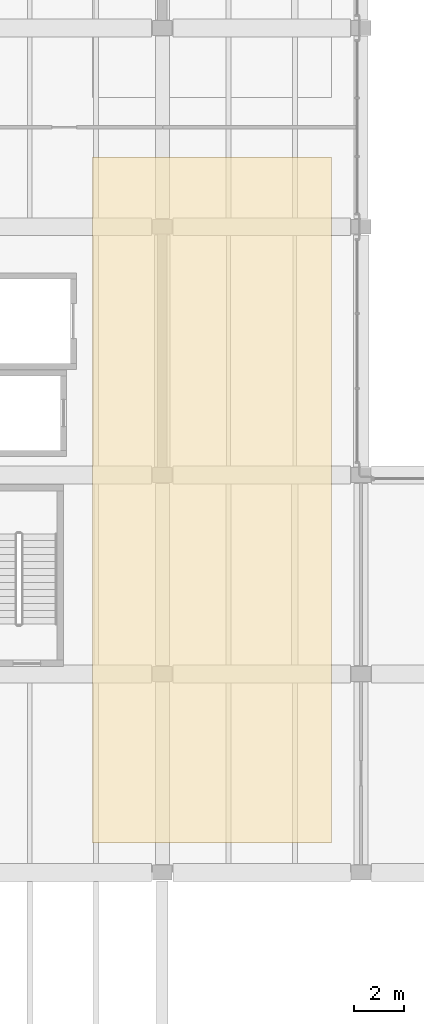
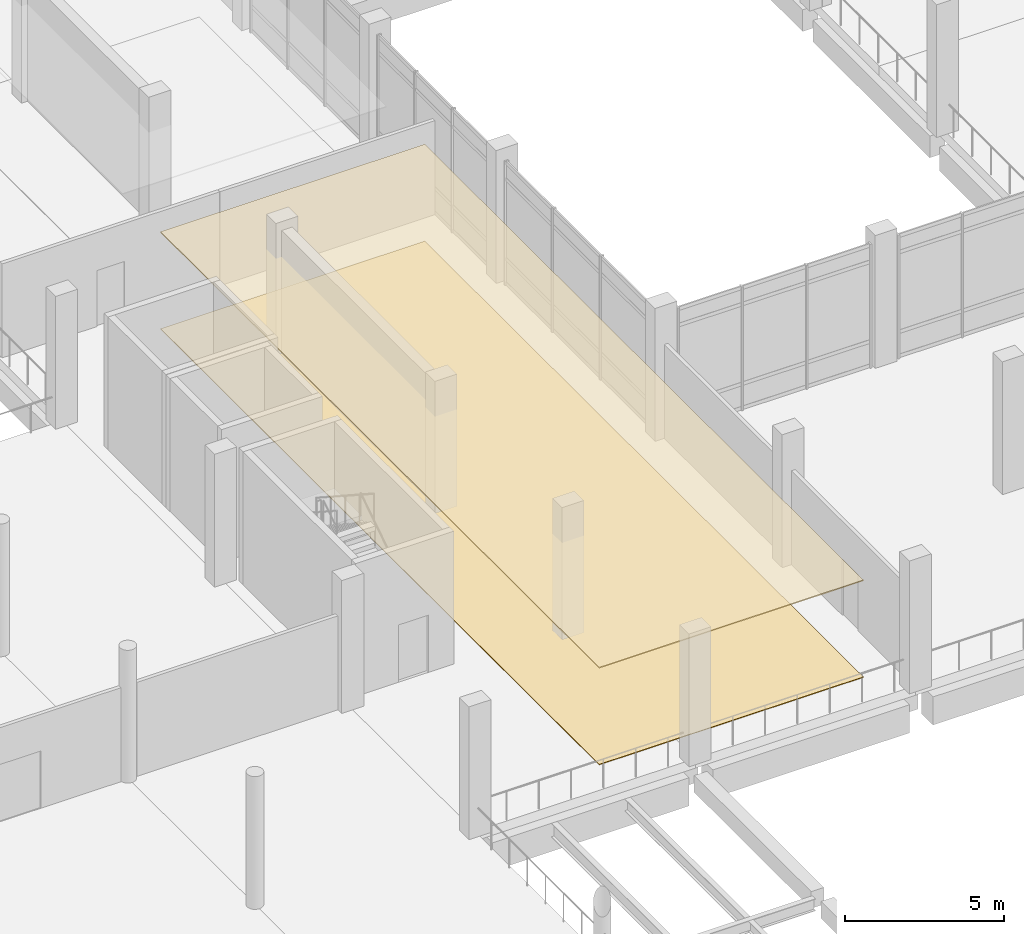
# One storey, part 49 of 61: 2 coverings.
"""IFC4 building model written with IfcOpenShell, lengths in metres."""

from ifc_helpers import new_model, si_unit, direction, frame, origin, place, context, subcontext, project, spatial, polyline, outline, extrude, material, layer, layer_set, type_object, element, save


model = new_model("IFC4")

# Units and contexts
model_context = context("Model", 3, precision=1e-05, world=origin(), true_north=direction((0.0, 1.0)))
body_context = subcontext(model_context, "Body", "Model", "MODEL_VIEW")
ifc_project = project(units=[si_unit("LENGTHUNIT", "METRE"), si_unit("AREAUNIT", "SQUARE_METRE"), si_unit("VOLUMEUNIT", "CUBIC_METRE"), si_unit("PLANEANGLEUNIT", "RADIAN"), si_unit("MASSUNIT", "GRAM", prefix="KILO")], contexts=[model_context])

# Site, building, storey
site_placement = place(None, origin())
site = spatial("IfcSite", under=ifc_project, at=site_placement, CompositionType="ELEMENT")
building_placement = place(site_placement, origin())
building = spatial("IfcBuilding", under=site, at=building_placement, Name="Pecanmere Concourse Central Library", CompositionType="ELEMENT")
storey_placement = place(building_placement, frame((0.0, 0.0, 5.39990234375)))
storey = spatial("IfcBuildingStorey", under=building, at=storey_placement, Name="L02", CompositionType="ELEMENT", Elevation=5.39990234375)

# Coverings
ifc_material_1 = material(Name="Perforated mineral acoustic ceiling tile")
ifc_layer_1 = layer(ifc_material_1, 0.0400390625, Name="COV_CEIL_ACOUSTIC")
ifc_layer_set_1 = layer_set([ifc_layer_1], Name="Perforated mineral acoustic ceiling tile")
covering_type_1 = type_object("IfcCoveringType", Name="COV_CEIL_ACOUSTIC", PredefinedType="CEILING", material=ifc_layer_set_1)
covering_1_placement = place(storey_placement, frame((0.0, 0.0, 3.710205078125)))
element("IfcCovering", 1, at=covering_1_placement, inside=storey, type_object=covering_type_1, Name="Acoustic Coffered Ceiling L02-006", PredefinedType="CEILING", context=body_context, shape_type="SweptSolid", body=[
    extrude(outline(polyline([(117.199951171875, 49.199951171875), (126.800048828125, 49.199951171875), (126.800048828125, 76.800048828125), (117.199951171875, 76.800048828125), (117.199951171875, 49.199951171875)])), origin(), (0.0, 0.0, 1.0), 0.039794921875),
])
ifc_material_2 = material(Name="Solid white oak architectural joinery")
ifc_layer_2 = layer(ifc_material_2, 0.02490234375, Name="COV_FLR_OAK")
ifc_layer_set_2 = layer_set([ifc_layer_2], Name="Solid white oak architectural joinery")
covering_type_2 = type_object("IfcCoveringType", Name="COV_FLR_OAK", PredefinedType="FLOORING", material=ifc_layer_set_2)
covering_2_placement = place(storey_placement, origin())
element("IfcCovering", 2, at=covering_2_placement, inside=storey, type_object=covering_type_2, Name="Finished Flooring L02-006", PredefinedType="FLOORING", context=body_context, shape_type="SweptSolid", body=[
    extrude(outline(polyline([(117.199951171875, 49.199951171875), (126.800048828125, 49.199951171875), (126.800048828125, 76.800048828125), (117.199951171875, 76.800048828125), (117.199951171875, 49.199951171875)])), origin(), (0.0, 0.0, 1.0), 0.025146484375),
])

save(model, "model.ifc")
